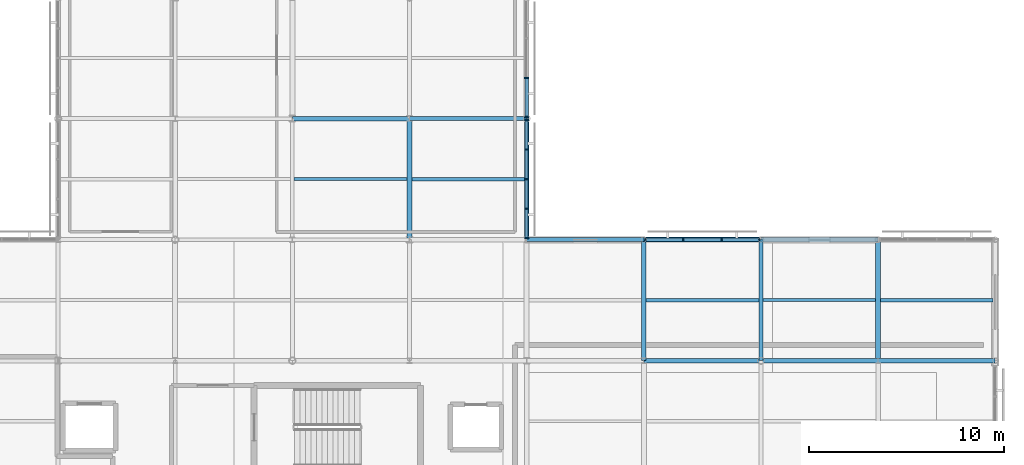
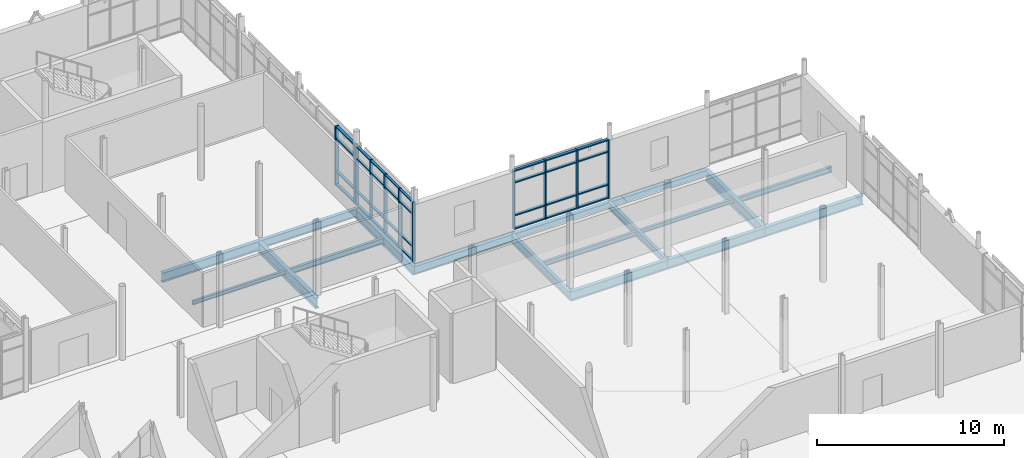
# One storey, part 45 of 84: 43 members, 18 beams, 3 elements without a shape of their own.
"""IFC4 building model written with IfcOpenShell, lengths in metres."""

from ifc_helpers import new_model, si_unit, direction, frame, origin, origin_2d, place, context, subcontext, project, spatial, rectangle, hollow_rectangle, i_section, extrude, material, layer, layer_set, material_profile, profile_set, type_object, element, aggregate, save


model = new_model("IFC4")

# Units and contexts
model_context = context("Model", 3, precision=1e-05, world=origin(), true_north=direction((0.0, 1.0)))
body_context = subcontext(model_context, "Body", "Model", "MODEL_VIEW")
ifc_project = project(units=[si_unit("LENGTHUNIT", "METRE"), si_unit("AREAUNIT", "SQUARE_METRE"), si_unit("VOLUMEUNIT", "CUBIC_METRE"), si_unit("PLANEANGLEUNIT", "RADIAN"), si_unit("MASSUNIT", "GRAM", prefix="KILO")], contexts=[model_context])

# Site, building, storey
site_placement = place(None, origin())
site = spatial("IfcSite", under=ifc_project, at=site_placement, CompositionType="ELEMENT")
building_placement = place(site_placement, origin())
building = spatial("IfcBuilding", under=site, at=building_placement, Name="Mirzam Square Science Centre", CompositionType="ELEMENT")
storey_placement = place(building_placement, frame((0.0, 0.0, 10.800048828125)))
storey = spatial("IfcBuildingStorey", under=building, at=storey_placement, Name="L02", CompositionType="ELEMENT", Elevation=10.800048828125)

# Beams
ifc_material_1 = material(Name="Steel S355", Category="steel")
ifc_material_profile_1 = material_profile(ifc_material_1, i_section(OverallWidth=0.19140625, OverallDepth=0.4599609375, WebThickness=0.010009765625, FlangeThickness=0.01611328125, FilletRadius=0.01025390625, at=origin_2d()), Name="457x191x82UB")
ifc_profile_set_1 = profile_set([ifc_material_profile_1], Name="Steel S355")
beam_type_1 = type_object("IfcBeamType", Name="BM-UB457", PredefinedType="BEAM", material=ifc_profile_set_1)
beam_1_placement = place(storey_placement, frame((150.0, 80.60009765625, -0.47998046875), z_axis=(0.0, 1.0, 0.0), x_axis=(-1.0, 0.0, 0.0)))
element("IfcBeam", 1, at=beam_1_placement, inside=storey, type_object=beam_type_1, Name="L02 girder Y26-14", PredefinedType="BEAM", context=body_context, shape_type="SweptSolid", body=[
    extrude(i_section(OverallWidth=0.19140625, OverallDepth=0.4599609375, WebThickness=0.010009765625, FlangeThickness=0.01611328125, FilletRadius=0.01025390625, at=origin_2d()), origin(), (0.0, 0.0, 1.0), 6.199951171875),
])
ifc_material_profile_2 = material_profile(ifc_material_1, i_section(OverallWidth=0.2099609375, OverallDepth=0.53662109375, WebThickness=0.0107421875, FlangeThickness=0.017333984375, FilletRadius=0.0126953125, at=origin_2d()), Name="533x210x101UB")
ifc_profile_set_2 = profile_set([ifc_material_profile_2], Name="Steel S355")
beam_type_2 = type_object("IfcBeamType", Name="BM-UB533", PredefinedType="BEAM", material=ifc_profile_set_2)
for number, where, z_axis, x_axis, name in (
    (2, (138.0, 86.800048828125, -0.518310546875), (1.0, 0.0, 0.0), (0.0, 1.0, 0.0), "L02 girder X24-15"),
    (3, (132.0, 93.0, -0.518310546875), (1.0, 0.0, 0.0), (0.0, 1.0, 0.0), "L02 girder X23-16"),
):
    element("IfcBeam", number, at=place(storey_placement, frame(where, z_axis=z_axis, x_axis=x_axis)), inside=storey, type_object=beam_type_2, Name=name, PredefinedType="BEAM", context=body_context, shape_type="SweptSolid", body=[
        extrude(i_section(OverallWidth=0.2099609375, OverallDepth=0.53662109375, WebThickness=0.0107421875, FlangeThickness=0.017333984375, FilletRadius=0.0126953125, at=origin_2d()), origin(), (0.0, 0.0, 1.0), 6.0),
    ])
beam_2_placement = place(storey_placement, frame((144.0, 80.60009765625, -0.518310546875), z_axis=(0.0, 1.0, 0.0), x_axis=(-1.0, 0.0, 0.0)))
element("IfcBeam", 4, at=beam_2_placement, inside=storey, type_object=beam_type_2, Name="L02 girder Y25-14", PredefinedType="BEAM", context=body_context, shape_type="SweptSolid", body=[
    extrude(i_section(OverallWidth=0.2099609375, OverallDepth=0.53662109375, WebThickness=0.0107421875, FlangeThickness=0.017333984375, FilletRadius=0.0126953125, at=origin_2d()), origin(), (0.0, 0.0, 1.0), 6.199951171875),
])
ifc_material_profile_3 = material_profile(ifc_material_1, i_section(OverallWidth=0.22900390625, OverallDepth=0.6123046875, WebThickness=0.011962890625, FlangeThickness=0.01953125, FilletRadius=0.0126953125, at=origin_2d()), Name="610x229x125UB")
ifc_profile_set_3 = profile_set([ifc_material_profile_3], Name="Steel S355")
beam_type_3 = type_object("IfcBeamType", Name="BM-UB610", PredefinedType="BEAM", material=ifc_profile_set_3)
for number, where, z_axis, x_axis, name in (
    (5, (144.0, 80.60009765625, -0.55615234375), (1.0, 0.0, 0.0), (0.0, 1.0, 0.0), "L02 girder X25-14"),
    (6, (150.0, 80.60009765625, -0.55615234375), (1.0, 0.0, 0.0), (0.0, 1.0, 0.0), "L02 girder X26-14"),
    (7, (156.0, 80.60009765625, -0.55615234375), (1.0, 0.0, 0.0), (0.0, 1.0, 0.0), "L02 girder X27-14"),
    (8, (126.0, 93.0, -0.55615234375), (1.0, 0.0, 0.0), (0.0, 1.0, 0.0), "L02 girder X22-16"),
):
    element("IfcBeam", number, at=place(storey_placement, frame(where, z_axis=z_axis, x_axis=x_axis)), inside=storey, type_object=beam_type_3, Name=name, PredefinedType="BEAM", context=body_context, shape_type="SweptSolid", body=[
        extrude(i_section(OverallWidth=0.22900390625, OverallDepth=0.6123046875, WebThickness=0.011962890625, FlangeThickness=0.01953125, FilletRadius=0.0126953125, at=origin_2d()), origin(), (0.0, 0.0, 1.0), 6.0),
    ])
beam_3_placement = place(storey_placement, frame((138.0, 86.800048828125, -0.55615234375), z_axis=(0.0, 1.0, 0.0), x_axis=(-1.0, 0.0, 0.0)))
element("IfcBeam", 9, at=beam_3_placement, inside=storey, type_object=beam_type_3, Name="L02 girder Y24-15", PredefinedType="BEAM", context=body_context, shape_type="SweptSolid", body=[
    extrude(i_section(OverallWidth=0.22900390625, OverallDepth=0.6123046875, WebThickness=0.011962890625, FlangeThickness=0.01953125, FilletRadius=0.0126953125, at=origin_2d()), origin(), (0.0, 0.0, 1.0), 6.199951171875),
])
ifc_material_profile_4 = material_profile(ifc_material_1, i_section(OverallWidth=0.25439453125, OverallDepth=0.6875, WebThickness=0.01318359375, FlangeThickness=0.02099609375, FilletRadius=0.01513671875, at=origin_2d()), Name="686x254x152UB")
ifc_profile_set_4 = profile_set([ifc_material_profile_4], Name="Steel S355")
beam_type_4 = type_object("IfcBeamType", Name="BM-UB686", PredefinedType="BEAM", material=ifc_profile_set_4)
for number, where, z_axis, x_axis, name in (
    (10, (132.0, 86.800048828125, -0.59375), (0.0, 1.0, 0.0), (-1.0, 0.0, 0.0), "L02 girder Y23-15"),
    (11, (156.0, 80.60009765625, -0.59375), (0.0, 1.0, 0.0), (-1.0, 0.0, 0.0), "L02 girder Y27-14"),
):
    element("IfcBeam", number, at=place(storey_placement, frame(where, z_axis=z_axis, x_axis=x_axis)), inside=storey, type_object=beam_type_4, Name=name, PredefinedType="BEAM", context=body_context, shape_type="SweptSolid", body=[
        extrude(i_section(OverallWidth=0.25439453125, OverallDepth=0.6875, WebThickness=0.01318359375, FlangeThickness=0.02099609375, FilletRadius=0.01513671875, at=origin_2d()), origin(), (0.0, 0.0, 1.0), 6.199951171875),
    ])

# Curtain wall, members
ifc_material_2 = material(Name="Anodised Aluminium and Low-E Solar Glass", Category="aluminium")
ifc_layer_1 = layer(ifc_material_2, 0.199951171875)
ifc_layer_set_1 = layer_set([ifc_layer_1], Name="CW-EAST-A")
curtain_wall_type_1 = type_object("IfcCurtainWallType", Name="CW-EAST-A", PredefinedType="USERDEFINED", material=ifc_layer_set_1)
curtain_wall_1_placement = place(storey_placement, origin())
curtain_wall_1 = element("IfcCurtainWall", 12, at=curtain_wall_1_placement, inside=storey, type_object=curtain_wall_type_1, Name="L02 unitised curtain wall 116", ObjectType="UNITISED CURTAIN WALL", PredefinedType="USERDEFINED")
ifc_material_3 = material(Name="Anodised Architectural Aluminium 6063-T6", Category="aluminium")
ifc_material_profile_5 = material_profile(ifc_material_3, rectangle(XDim=0.06494140625, YDim=0.199951171875, at=origin_2d()), Name="ALU-MULL-200x65x5")
ifc_profile_set_5 = profile_set([ifc_material_profile_5], Name="Anodised Architectural Aluminium 6063-T6")
member_type_1 = type_object("IfcMemberType", Name="CWM-200", PredefinedType="MULLION", material=ifc_profile_set_5)
member_1_placement = place(storey_placement, frame((138.0, 86.887451171875, 0.0), z_axis=(0.0, 0.0, 1.0), x_axis=(0.0, 1.0, 0.0)))
member_1 = element("IfcMember", 13, at=member_1_placement, type_object=member_type_1, Name="CW-05 mullion 1", PredefinedType="MULLION", context=body_context, shape_type="SweptSolid", body=[
    extrude(rectangle(XDim=0.06494140625, YDim=0.199951171875, at=origin_2d()), origin(), (0.0, 0.0, 1.0), 3.83984375),
])
member_2_placement = place(storey_placement, frame((138.0, 88.37744140625, 0.0), z_axis=(0.0, 0.0, 1.0), x_axis=(0.0, 1.0, 0.0)))
member_2 = element("IfcMember", 14, at=member_2_placement, type_object=member_type_1, Name="CW-05 mullion 2", PredefinedType="MULLION", context=body_context, shape_type="SweptSolid", body=[
    extrude(rectangle(XDim=0.06494140625, YDim=0.199951171875, at=origin_2d()), origin(), (0.0, 0.0, 1.0), 3.83984375),
])
member_3_placement = place(storey_placement, frame((138.0, 89.89990234375, 0.0), z_axis=(0.0, 0.0, 1.0), x_axis=(0.0, 1.0, 0.0)))
member_3 = element("IfcMember", 15, at=member_3_placement, type_object=member_type_1, Name="CW-05 mullion 3", PredefinedType="MULLION", context=body_context, shape_type="SweptSolid", body=[
    extrude(rectangle(XDim=0.06494140625, YDim=0.199951171875, at=origin_2d()), origin(), (0.0, 0.0, 1.0), 3.83984375),
])
member_4_placement = place(storey_placement, frame((138.0, 91.422607421875, 0.0), z_axis=(0.0, 0.0, 1.0), x_axis=(0.0, 1.0, 0.0)))
member_4 = element("IfcMember", 16, at=member_4_placement, type_object=member_type_1, Name="CW-05 mullion 4", PredefinedType="MULLION", context=body_context, shape_type="SweptSolid", body=[
    extrude(rectangle(XDim=0.06494140625, YDim=0.199951171875, at=origin_2d()), origin(), (0.0, 0.0, 1.0), 3.83984375),
])
member_5_placement = place(storey_placement, frame((138.0, 92.91259765625, 0.0), z_axis=(0.0, 0.0, 1.0), x_axis=(0.0, 1.0, 0.0)))
member_5 = element("IfcMember", 17, at=member_5_placement, type_object=member_type_1, Name="CW-05 mullion 5", PredefinedType="MULLION", context=body_context, shape_type="SweptSolid", body=[
    extrude(rectangle(XDim=0.06494140625, YDim=0.199951171875, at=origin_2d()), origin(), (0.0, 0.0, 1.0), 3.83984375),
])

ifc_layer_2 = layer(ifc_material_2, 0.239990234375)
ifc_layer_set_2 = layer_set([ifc_layer_2], Name="CW-EAST-B")
curtain_wall_type_2 = type_object("IfcCurtainWallType", Name="CW-EAST-B", PredefinedType="USERDEFINED", material=ifc_layer_set_2)
curtain_wall_2_placement = place(storey_placement, origin())
curtain_wall_2 = element("IfcCurtainWall", 18, at=curtain_wall_2_placement, inside=storey, type_object=curtain_wall_type_2, Name="L02 unitised curtain wall 108", ObjectType="UNITISED CURTAIN WALL", PredefinedType="USERDEFINED")
ifc_material_profile_6 = material_profile(ifc_material_3, rectangle(XDim=0.074951171875, YDim=0.239990234375, at=origin_2d()), Name="ALU-MULL-240x75x5")
ifc_profile_set_6 = profile_set([ifc_material_profile_6], Name="Anodised Architectural Aluminium 6063-T6")
member_type_2 = type_object("IfcMemberType", Name="CWM-240", PredefinedType="MULLION", material=ifc_profile_set_6)
member_6_placement = place(storey_placement, frame((149.907470703125, 86.800048828125, 0.0), z_axis=(0.0, 0.0, 1.0), x_axis=(-1.0, 0.0, 0.0)))
member_6 = element("IfcMember", 19, at=member_6_placement, type_object=member_type_2, Name="CW-06 mullion 1", PredefinedType="MULLION", context=body_context, shape_type="SweptSolid", body=[
    extrude(rectangle(XDim=0.074951171875, YDim=0.239990234375, at=origin_2d()), origin(), (0.0, 0.0, 1.0), 3.83984375),
])
member_7_placement = place(storey_placement, frame((147.981689453125, 86.800048828125, 0.0), z_axis=(0.0, 0.0, 1.0), x_axis=(-1.0, 0.0, 0.0)))
member_7 = element("IfcMember", 20, at=member_7_placement, type_object=member_type_2, Name="CW-06 mullion 2", PredefinedType="MULLION", context=body_context, shape_type="SweptSolid", body=[
    extrude(rectangle(XDim=0.074951171875, YDim=0.239990234375, at=origin_2d()), origin(), (0.0, 0.0, 1.0), 3.83984375),
])
member_8_placement = place(storey_placement, frame((146.018310546875, 86.800048828125, 0.0), z_axis=(0.0, 0.0, 1.0), x_axis=(-1.0, 0.0, 0.0)))
member_8 = element("IfcMember", 21, at=member_8_placement, type_object=member_type_2, Name="CW-06 mullion 3", PredefinedType="MULLION", context=body_context, shape_type="SweptSolid", body=[
    extrude(rectangle(XDim=0.074951171875, YDim=0.239990234375, at=origin_2d()), origin(), (0.0, 0.0, 1.0), 3.83984375),
])
member_9_placement = place(storey_placement, frame((144.092529296875, 86.800048828125, 0.0), z_axis=(0.0, 0.0, 1.0), x_axis=(-1.0, 0.0, 0.0)))
member_9 = element("IfcMember", 22, at=member_9_placement, type_object=member_type_2, Name="CW-06 mullion 4", PredefinedType="MULLION", context=body_context, shape_type="SweptSolid", body=[
    extrude(rectangle(XDim=0.074951171875, YDim=0.239990234375, at=origin_2d()), origin(), (0.0, 0.0, 1.0), 3.83984375),
])

curtain_wall_3_placement = place(storey_placement, origin())
curtain_wall_3 = element("IfcCurtainWall", 23, at=curtain_wall_3_placement, inside=storey, type_object=curtain_wall_type_2, Name="L02 unitised curtain wall 118", ObjectType="UNITISED CURTAIN WALL", PredefinedType="USERDEFINED")
member_10_placement = place(storey_placement, frame((138.0, 93.092529296875, 0.0), z_axis=(0.0, 0.0, 1.0), x_axis=(0.0, 1.0, 0.0)))
member_10 = element("IfcMember", 24, at=member_10_placement, type_object=member_type_2, Name="CW-06 mullion 1", PredefinedType="MULLION", context=body_context, shape_type="SweptSolid", body=[
    extrude(rectangle(XDim=0.074951171875, YDim=0.239990234375, at=origin_2d()), origin(), (0.0, 0.0, 1.0), 3.83984375),
])
member_11_placement = place(storey_placement, frame((138.0, 95.0849609375, 0.0), z_axis=(0.0, 0.0, 1.0), x_axis=(0.0, 1.0, 0.0)))
member_11 = element("IfcMember", 25, at=member_11_placement, type_object=member_type_2, Name="CW-06 mullion 2", PredefinedType="MULLION", context=body_context, shape_type="SweptSolid", body=[
    extrude(rectangle(XDim=0.074951171875, YDim=0.239990234375, at=origin_2d()), origin(), (0.0, 0.0, 1.0), 3.83984375),
])

# Member
ifc_material_profile_7 = material_profile(ifc_material_3, rectangle(XDim=0.14990234375, YDim=0.06494140625, at=origin_2d()), Name="ALU-TRAN-150x65x4")
ifc_profile_set_7 = profile_set([ifc_material_profile_7], Name="Anodised Architectural Aluminium 6063-T6")
member_type_3 = type_object("IfcMemberType", Name="CWT-150", PredefinedType="USERDEFINED", material=ifc_profile_set_7)
member_12_placement = place(storey_placement, frame((138.0, 86.919921875, 0.032470703125), z_axis=(0.0, 1.0, 0.0), x_axis=(-1.0, 0.0, 0.0)))
member_12 = element("IfcMember", 26, at=member_12_placement, type_object=member_type_3, Name="CW-05 transom 1.1", ObjectType="TRANSOM", PredefinedType="USERDEFINED", context=body_context, shape_type="SweptSolid", body=[
    extrude(rectangle(XDim=0.14990234375, YDim=0.06494140625, at=origin_2d()), origin(), (0.0, 0.0, 1.0), 1.425048828125),
])

member_13_placement = place(storey_placement, frame((138.0, 86.919921875, 0.89990234375), z_axis=(0.0, 1.0, 0.0), x_axis=(-1.0, 0.0, 0.0)))
member_13 = element("IfcMember", 27, at=member_13_placement, type_object=member_type_3, Name="CW-05 transom 1.2", ObjectType="TRANSOM", PredefinedType="USERDEFINED", context=body_context, shape_type="SweptSolid", body=[
    extrude(rectangle(XDim=0.14990234375, YDim=0.06494140625, at=origin_2d()), origin(), (0.0, 0.0, 1.0), 1.425048828125),
])

member_14_placement = place(storey_placement, frame((138.0, 86.919921875, 3.0400390625), z_axis=(0.0, 1.0, 0.0), x_axis=(-1.0, 0.0, 0.0)))
member_14 = element("IfcMember", 28, at=member_14_placement, type_object=member_type_3, Name="CW-05 transom 1.3", ObjectType="TRANSOM", PredefinedType="USERDEFINED", context=body_context, shape_type="SweptSolid", body=[
    extrude(rectangle(XDim=0.14990234375, YDim=0.06494140625, at=origin_2d()), origin(), (0.0, 0.0, 1.0), 1.425048828125),
])

member_15_placement = place(storey_placement, frame((138.0, 86.919921875, 3.807373046875), z_axis=(0.0, 1.0, 0.0), x_axis=(-1.0, 0.0, 0.0)))
member_15 = element("IfcMember", 29, at=member_15_placement, type_object=member_type_3, Name="CW-05 transom 1.4", ObjectType="TRANSOM", PredefinedType="USERDEFINED", context=body_context, shape_type="SweptSolid", body=[
    extrude(rectangle(XDim=0.14990234375, YDim=0.06494140625, at=origin_2d()), origin(), (0.0, 0.0, 1.0), 1.425048828125),
])

member_16_placement = place(storey_placement, frame((138.0, 88.409912109375, 0.032470703125), z_axis=(0.0, 1.0, 0.0), x_axis=(-1.0, 0.0, 0.0)))
member_16 = element("IfcMember", 30, at=member_16_placement, type_object=member_type_3, Name="CW-05 transom 2.1", ObjectType="TRANSOM", PredefinedType="USERDEFINED", context=body_context, shape_type="SweptSolid", body=[
    extrude(rectangle(XDim=0.14990234375, YDim=0.06494140625, at=origin_2d()), origin(), (0.0, 0.0, 1.0), 1.45751953125),
])

member_17_placement = place(storey_placement, frame((138.0, 88.409912109375, 0.89990234375), z_axis=(0.0, 1.0, 0.0), x_axis=(-1.0, 0.0, 0.0)))
member_17 = element("IfcMember", 31, at=member_17_placement, type_object=member_type_3, Name="CW-05 transom 2.2", ObjectType="TRANSOM", PredefinedType="USERDEFINED", context=body_context, shape_type="SweptSolid", body=[
    extrude(rectangle(XDim=0.14990234375, YDim=0.06494140625, at=origin_2d()), origin(), (0.0, 0.0, 1.0), 1.45751953125),
])

member_18_placement = place(storey_placement, frame((138.0, 88.409912109375, 3.0400390625), z_axis=(0.0, 1.0, 0.0), x_axis=(-1.0, 0.0, 0.0)))
member_18 = element("IfcMember", 32, at=member_18_placement, type_object=member_type_3, Name="CW-05 transom 2.3", ObjectType="TRANSOM", PredefinedType="USERDEFINED", context=body_context, shape_type="SweptSolid", body=[
    extrude(rectangle(XDim=0.14990234375, YDim=0.06494140625, at=origin_2d()), origin(), (0.0, 0.0, 1.0), 1.45751953125),
])

member_19_placement = place(storey_placement, frame((138.0, 88.409912109375, 3.807373046875), z_axis=(0.0, 1.0, 0.0), x_axis=(-1.0, 0.0, 0.0)))
member_19 = element("IfcMember", 33, at=member_19_placement, type_object=member_type_3, Name="CW-05 transom 2.4", ObjectType="TRANSOM", PredefinedType="USERDEFINED", context=body_context, shape_type="SweptSolid", body=[
    extrude(rectangle(XDim=0.14990234375, YDim=0.06494140625, at=origin_2d()), origin(), (0.0, 0.0, 1.0), 1.45751953125),
])

member_20_placement = place(storey_placement, frame((138.0, 89.9326171875, 0.032470703125), z_axis=(0.0, 1.0, 0.0), x_axis=(-1.0, 0.0, 0.0)))
member_20 = element("IfcMember", 34, at=member_20_placement, type_object=member_type_3, Name="CW-05 transom 3.1", ObjectType="TRANSOM", PredefinedType="USERDEFINED", context=body_context, shape_type="SweptSolid", body=[
    extrude(rectangle(XDim=0.14990234375, YDim=0.06494140625, at=origin_2d()), origin(), (0.0, 0.0, 1.0), 1.457275390625),
])

member_21_placement = place(storey_placement, frame((138.0, 89.9326171875, 0.89990234375), z_axis=(0.0, 1.0, 0.0), x_axis=(-1.0, 0.0, 0.0)))
member_21 = element("IfcMember", 35, at=member_21_placement, type_object=member_type_3, Name="CW-05 transom 3.2", ObjectType="TRANSOM", PredefinedType="USERDEFINED", context=body_context, shape_type="SweptSolid", body=[
    extrude(rectangle(XDim=0.14990234375, YDim=0.06494140625, at=origin_2d()), origin(), (0.0, 0.0, 1.0), 1.457275390625),
])

member_22_placement = place(storey_placement, frame((138.0, 89.9326171875, 3.0400390625), z_axis=(0.0, 1.0, 0.0), x_axis=(-1.0, 0.0, 0.0)))
member_22 = element("IfcMember", 36, at=member_22_placement, type_object=member_type_3, Name="CW-05 transom 3.3", ObjectType="TRANSOM", PredefinedType="USERDEFINED", context=body_context, shape_type="SweptSolid", body=[
    extrude(rectangle(XDim=0.14990234375, YDim=0.06494140625, at=origin_2d()), origin(), (0.0, 0.0, 1.0), 1.457275390625),
])

member_23_placement = place(storey_placement, frame((138.0, 89.9326171875, 3.807373046875), z_axis=(0.0, 1.0, 0.0), x_axis=(-1.0, 0.0, 0.0)))
member_23 = element("IfcMember", 37, at=member_23_placement, type_object=member_type_3, Name="CW-05 transom 3.4", ObjectType="TRANSOM", PredefinedType="USERDEFINED", context=body_context, shape_type="SweptSolid", body=[
    extrude(rectangle(XDim=0.14990234375, YDim=0.06494140625, at=origin_2d()), origin(), (0.0, 0.0, 1.0), 1.457275390625),
])

member_24_placement = place(storey_placement, frame((138.0, 91.455078125, 0.032470703125), z_axis=(0.0, 1.0, 0.0), x_axis=(-1.0, 0.0, 0.0)))
member_24 = element("IfcMember", 38, at=member_24_placement, type_object=member_type_3, Name="CW-05 transom 4.1", ObjectType="TRANSOM", PredefinedType="USERDEFINED", context=body_context, shape_type="SweptSolid", body=[
    extrude(rectangle(XDim=0.14990234375, YDim=0.06494140625, at=origin_2d()), origin(), (0.0, 0.0, 1.0), 1.4248046875),
])

member_25_placement = place(storey_placement, frame((138.0, 91.455078125, 0.89990234375), z_axis=(0.0, 1.0, 0.0), x_axis=(-1.0, 0.0, 0.0)))
member_25 = element("IfcMember", 39, at=member_25_placement, type_object=member_type_3, Name="CW-05 transom 4.2", ObjectType="TRANSOM", PredefinedType="USERDEFINED", context=body_context, shape_type="SweptSolid", body=[
    extrude(rectangle(XDim=0.14990234375, YDim=0.06494140625, at=origin_2d()), origin(), (0.0, 0.0, 1.0), 1.4248046875),
])

member_26_placement = place(storey_placement, frame((138.0, 91.455078125, 3.0400390625), z_axis=(0.0, 1.0, 0.0), x_axis=(-1.0, 0.0, 0.0)))
member_26 = element("IfcMember", 40, at=member_26_placement, type_object=member_type_3, Name="CW-05 transom 4.3", ObjectType="TRANSOM", PredefinedType="USERDEFINED", context=body_context, shape_type="SweptSolid", body=[
    extrude(rectangle(XDim=0.14990234375, YDim=0.06494140625, at=origin_2d()), origin(), (0.0, 0.0, 1.0), 1.4248046875),
])

member_27_placement = place(storey_placement, frame((138.0, 91.455078125, 3.807373046875), z_axis=(0.0, 1.0, 0.0), x_axis=(-1.0, 0.0, 0.0)))
member_27 = element("IfcMember", 41, at=member_27_placement, type_object=member_type_3, Name="CW-05 transom 4.4", ObjectType="TRANSOM", PredefinedType="USERDEFINED", context=body_context, shape_type="SweptSolid", body=[
    extrude(rectangle(XDim=0.14990234375, YDim=0.06494140625, at=origin_2d()), origin(), (0.0, 0.0, 1.0), 1.4248046875),
])

aggregate(curtain_wall_1, [member_1, member_2, member_3, member_4, member_5, member_12, member_13, member_14, member_15, member_16, member_17, member_18, member_19, member_20, member_21, member_22, member_23, member_24, member_25, member_26, member_27])

ifc_material_profile_8 = material_profile(ifc_material_3, rectangle(XDim=0.179931640625, YDim=0.074951171875, at=origin_2d()), Name="ALU-TRAN-180x75x5")
ifc_profile_set_8 = profile_set([ifc_material_profile_8], Name="Anodised Architectural Aluminium 6063-T6")
member_type_4 = type_object("IfcMemberType", Name="CWT-180", PredefinedType="USERDEFINED", material=ifc_profile_set_8)
member_28_placement = place(storey_placement, frame((149.8701171875, 86.800048828125, 0.037353515625), z_axis=(-1.0, 0.0, 0.0), x_axis=(0.0, -1.0, 0.0)))
member_28 = element("IfcMember", 42, at=member_28_placement, type_object=member_type_4, Name="CW-06 transom 1.1", ObjectType="TRANSOM", PredefinedType="USERDEFINED", context=body_context, shape_type="SweptSolid", body=[
    extrude(rectangle(XDim=0.179931640625, YDim=0.074951171875, at=origin_2d()), origin(), (0.0, 0.0, 1.0), 1.850830078125),
])

member_29_placement = place(storey_placement, frame((149.8701171875, 86.800048828125, 0.89990234375), z_axis=(-1.0, 0.0, 0.0), x_axis=(0.0, -1.0, 0.0)))
member_29 = element("IfcMember", 43, at=member_29_placement, type_object=member_type_4, Name="CW-06 transom 1.2", ObjectType="TRANSOM", PredefinedType="USERDEFINED", context=body_context, shape_type="SweptSolid", body=[
    extrude(rectangle(XDim=0.179931640625, YDim=0.074951171875, at=origin_2d()), origin(), (0.0, 0.0, 1.0), 1.850830078125),
])

member_30_placement = place(storey_placement, frame((149.8701171875, 86.800048828125, 3.0400390625), z_axis=(-1.0, 0.0, 0.0), x_axis=(0.0, -1.0, 0.0)))
member_30 = element("IfcMember", 44, at=member_30_placement, type_object=member_type_4, Name="CW-06 transom 1.3", ObjectType="TRANSOM", PredefinedType="USERDEFINED", context=body_context, shape_type="SweptSolid", body=[
    extrude(rectangle(XDim=0.179931640625, YDim=0.074951171875, at=origin_2d()), origin(), (0.0, 0.0, 1.0), 1.850830078125),
])

member_31_placement = place(storey_placement, frame((149.8701171875, 86.800048828125, 3.802490234375), z_axis=(-1.0, 0.0, 0.0), x_axis=(0.0, -1.0, 0.0)))
member_31 = element("IfcMember", 45, at=member_31_placement, type_object=member_type_4, Name="CW-06 transom 1.4", ObjectType="TRANSOM", PredefinedType="USERDEFINED", context=body_context, shape_type="SweptSolid", body=[
    extrude(rectangle(XDim=0.179931640625, YDim=0.074951171875, at=origin_2d()), origin(), (0.0, 0.0, 1.0), 1.850830078125),
])

member_32_placement = place(storey_placement, frame((147.944091796875, 86.800048828125, 0.037353515625), z_axis=(-1.0, 0.0, 0.0), x_axis=(0.0, -1.0, 0.0)))
member_32 = element("IfcMember", 46, at=member_32_placement, type_object=member_type_4, Name="CW-06 transom 2.1", ObjectType="TRANSOM", PredefinedType="USERDEFINED", context=body_context, shape_type="SweptSolid", body=[
    extrude(rectangle(XDim=0.179931640625, YDim=0.074951171875, at=origin_2d()), origin(), (0.0, 0.0, 1.0), 1.88818359375),
])

member_33_placement = place(storey_placement, frame((147.944091796875, 86.800048828125, 0.89990234375), z_axis=(-1.0, 0.0, 0.0), x_axis=(0.0, -1.0, 0.0)))
member_33 = element("IfcMember", 47, at=member_33_placement, type_object=member_type_4, Name="CW-06 transom 2.2", ObjectType="TRANSOM", PredefinedType="USERDEFINED", context=body_context, shape_type="SweptSolid", body=[
    extrude(rectangle(XDim=0.179931640625, YDim=0.074951171875, at=origin_2d()), origin(), (0.0, 0.0, 1.0), 1.88818359375),
])

member_34_placement = place(storey_placement, frame((147.944091796875, 86.800048828125, 3.0400390625), z_axis=(-1.0, 0.0, 0.0), x_axis=(0.0, -1.0, 0.0)))
member_34 = element("IfcMember", 48, at=member_34_placement, type_object=member_type_4, Name="CW-06 transom 2.3", ObjectType="TRANSOM", PredefinedType="USERDEFINED", context=body_context, shape_type="SweptSolid", body=[
    extrude(rectangle(XDim=0.179931640625, YDim=0.074951171875, at=origin_2d()), origin(), (0.0, 0.0, 1.0), 1.88818359375),
])

member_35_placement = place(storey_placement, frame((147.944091796875, 86.800048828125, 3.802490234375), z_axis=(-1.0, 0.0, 0.0), x_axis=(0.0, -1.0, 0.0)))
member_35 = element("IfcMember", 49, at=member_35_placement, type_object=member_type_4, Name="CW-06 transom 2.4", ObjectType="TRANSOM", PredefinedType="USERDEFINED", context=body_context, shape_type="SweptSolid", body=[
    extrude(rectangle(XDim=0.179931640625, YDim=0.074951171875, at=origin_2d()), origin(), (0.0, 0.0, 1.0), 1.88818359375),
])

member_36_placement = place(storey_placement, frame((145.980712890625, 86.800048828125, 0.037353515625), z_axis=(-1.0, 0.0, 0.0), x_axis=(0.0, -1.0, 0.0)))
member_36 = element("IfcMember", 50, at=member_36_placement, type_object=member_type_4, Name="CW-06 transom 3.1", ObjectType="TRANSOM", PredefinedType="USERDEFINED", context=body_context, shape_type="SweptSolid", body=[
    extrude(rectangle(XDim=0.179931640625, YDim=0.074951171875, at=origin_2d()), origin(), (0.0, 0.0, 1.0), 1.850830078125),
])

member_37_placement = place(storey_placement, frame((145.980712890625, 86.800048828125, 0.89990234375), z_axis=(-1.0, 0.0, 0.0), x_axis=(0.0, -1.0, 0.0)))
member_37 = element("IfcMember", 51, at=member_37_placement, type_object=member_type_4, Name="CW-06 transom 3.2", ObjectType="TRANSOM", PredefinedType="USERDEFINED", context=body_context, shape_type="SweptSolid", body=[
    extrude(rectangle(XDim=0.179931640625, YDim=0.074951171875, at=origin_2d()), origin(), (0.0, 0.0, 1.0), 1.850830078125),
])

member_38_placement = place(storey_placement, frame((145.980712890625, 86.800048828125, 3.0400390625), z_axis=(-1.0, 0.0, 0.0), x_axis=(0.0, -1.0, 0.0)))
member_38 = element("IfcMember", 52, at=member_38_placement, type_object=member_type_4, Name="CW-06 transom 3.3", ObjectType="TRANSOM", PredefinedType="USERDEFINED", context=body_context, shape_type="SweptSolid", body=[
    extrude(rectangle(XDim=0.179931640625, YDim=0.074951171875, at=origin_2d()), origin(), (0.0, 0.0, 1.0), 1.850830078125),
])

member_39_placement = place(storey_placement, frame((145.980712890625, 86.800048828125, 3.802490234375), z_axis=(-1.0, 0.0, 0.0), x_axis=(0.0, -1.0, 0.0)))
member_39 = element("IfcMember", 53, at=member_39_placement, type_object=member_type_4, Name="CW-06 transom 3.4", ObjectType="TRANSOM", PredefinedType="USERDEFINED", context=body_context, shape_type="SweptSolid", body=[
    extrude(rectangle(XDim=0.179931640625, YDim=0.074951171875, at=origin_2d()), origin(), (0.0, 0.0, 1.0), 1.850830078125),
])

aggregate(curtain_wall_2, [member_6, member_7, member_8, member_9, member_28, member_29, member_30, member_31, member_32, member_33, member_34, member_35, member_36, member_37, member_38, member_39])

member_40_placement = place(storey_placement, frame((138.0, 93.1298828125, 0.037353515625), z_axis=(0.0, 1.0, 0.0), x_axis=(-1.0, 0.0, 0.0)))
member_40 = element("IfcMember", 54, at=member_40_placement, type_object=member_type_4, Name="CW-06 transom 1.1", ObjectType="TRANSOM", PredefinedType="USERDEFINED", context=body_context, shape_type="SweptSolid", body=[
    extrude(rectangle(XDim=0.179931640625, YDim=0.074951171875, at=origin_2d()), origin(), (0.0, 0.0, 1.0), 1.917724609375),
])

member_41_placement = place(storey_placement, frame((138.0, 93.1298828125, 0.89990234375), z_axis=(0.0, 1.0, 0.0), x_axis=(-1.0, 0.0, 0.0)))
member_41 = element("IfcMember", 55, at=member_41_placement, type_object=member_type_4, Name="CW-06 transom 1.2", ObjectType="TRANSOM", PredefinedType="USERDEFINED", context=body_context, shape_type="SweptSolid", body=[
    extrude(rectangle(XDim=0.179931640625, YDim=0.074951171875, at=origin_2d()), origin(), (0.0, 0.0, 1.0), 1.917724609375),
])

member_42_placement = place(storey_placement, frame((138.0, 93.1298828125, 3.0400390625), z_axis=(0.0, 1.0, 0.0), x_axis=(-1.0, 0.0, 0.0)))
member_42 = element("IfcMember", 56, at=member_42_placement, type_object=member_type_4, Name="CW-06 transom 1.3", ObjectType="TRANSOM", PredefinedType="USERDEFINED", context=body_context, shape_type="SweptSolid", body=[
    extrude(rectangle(XDim=0.179931640625, YDim=0.074951171875, at=origin_2d()), origin(), (0.0, 0.0, 1.0), 1.917724609375),
])

member_43_placement = place(storey_placement, frame((138.0, 93.1298828125, 3.802490234375), z_axis=(0.0, 1.0, 0.0), x_axis=(-1.0, 0.0, 0.0)))
member_43 = element("IfcMember", 57, at=member_43_placement, type_object=member_type_4, Name="CW-06 transom 1.4", ObjectType="TRANSOM", PredefinedType="USERDEFINED", context=body_context, shape_type="SweptSolid", body=[
    extrude(rectangle(XDim=0.179931640625, YDim=0.074951171875, at=origin_2d()), origin(), (0.0, 0.0, 1.0), 1.917724609375),
])

aggregate(curtain_wall_3, [member_10, member_11, member_40, member_41, member_42, member_43])

# Beams
ifc_material_profile_9 = material_profile(ifc_material_1, i_section(OverallWidth=0.146484375, OverallDepth=0.256103515625, WebThickness=0.00634765625, FlangeThickness=0.010986328125, FilletRadius=0.007568359375, at=origin_2d()), Name="254x146x37UB")
ifc_profile_set_9 = profile_set([ifc_material_profile_9], Name="Steel S355")
beam_type_5 = type_object("IfcBeamType", Name="JS-UB254", PredefinedType="JOIST", material=ifc_profile_set_9)
for number, where, z_axis, x_axis, name in (
    (58, (126.095703125, 89.89990234375, -0.3779296875), (1.0, 0.0, 0.0), (0.0, 1.0, 0.0), "L02 composite joist 22-15"),
    (59, (150.095703125, 83.699951171875, -0.3779296875), (1.0, 0.0, 0.0), (0.0, 1.0, 0.0), "L02 composite joist 26-14"),
):
    element("IfcBeam", number, at=place(storey_placement, frame(where, z_axis=z_axis, x_axis=x_axis)), inside=storey, type_object=beam_type_5, Name=name, PredefinedType="JOIST", context=body_context, shape_type="SweptSolid", body=[
        extrude(i_section(OverallWidth=0.146484375, OverallDepth=0.256103515625, WebThickness=0.00634765625, FlangeThickness=0.010986328125, FilletRadius=0.007568359375, at=origin_2d()), origin(), (0.0, 0.0, 1.0), 5.777099609375),
    ])
ifc_material_profile_10 = material_profile(ifc_material_1, i_section(OverallWidth=0.165771484375, OverallDepth=0.306640625, WebThickness=0.006591796875, FlangeThickness=0.01171875, FilletRadius=0.0087890625, at=origin_2d()), Name="305x165x46UB")
ifc_profile_set_10 = profile_set([ifc_material_profile_10], Name="Steel S355")
beam_type_6 = type_object("IfcBeamType", Name="JS-UB305", PredefinedType="JOIST", material=ifc_profile_set_10)
beam_4_placement = place(storey_placement, frame((144.10498046875, 83.699951171875, -0.4033203125), z_axis=(1.0, 0.0, 0.0), x_axis=(0.0, 1.0, 0.0)))
element("IfcBeam", 60, at=beam_4_placement, inside=storey, type_object=beam_type_6, Name="L02 composite joist 25-14", PredefinedType="JOIST", context=body_context, shape_type="SweptSolid", body=[
    extrude(i_section(OverallWidth=0.165771484375, OverallDepth=0.306640625, WebThickness=0.006591796875, FlangeThickness=0.01171875, FilletRadius=0.0087890625, at=origin_2d()), origin(), (0.0, 0.0, 1.0), 5.79931640625),
])
ifc_material_profile_11 = material_profile(ifc_material_1, i_section(OverallWidth=0.172119140625, OverallDepth=0.35791015625, WebThickness=0.008056640625, FlangeThickness=0.012939453125, FilletRadius=0.01025390625, at=origin_2d()), Name="356x171x57UB")
ifc_profile_set_11 = profile_set([ifc_material_profile_11], Name="Steel S355")
beam_type_7 = type_object("IfcBeamType", Name="JS-UB356", PredefinedType="JOIST", material=ifc_profile_set_11)
beam_5_placement = place(storey_placement, frame((132.127197265625, 89.89990234375, -0.428955078125), z_axis=(1.0, 0.0, 0.0), x_axis=(0.0, 1.0, 0.0)))
element("IfcBeam", 61, at=beam_5_placement, inside=storey, type_object=beam_type_7, Name="L02 composite joist 23-15", PredefinedType="JOIST", context=body_context, shape_type="SweptSolid", body=[
    extrude(i_section(OverallWidth=0.172119140625, OverallDepth=0.35791015625, WebThickness=0.008056640625, FlangeThickness=0.012939453125, FilletRadius=0.01025390625, at=origin_2d()), origin(), (0.0, 0.0, 1.0), 5.75830078125),
])
beam_6_placement = place(storey_placement, frame((156.127197265625, 83.699951171875, -0.428955078125), z_axis=(1.0, 0.0, 0.0), x_axis=(0.0, 1.0, 0.0)))
element("IfcBeam", 62, at=beam_6_placement, inside=storey, type_object=beam_type_7, Name="L02 composite joist 27-14", PredefinedType="JOIST", context=body_context, shape_type="SweptSolid", body=[
    extrude(i_section(OverallWidth=0.172119140625, OverallDepth=0.35791015625, WebThickness=0.008056640625, FlangeThickness=0.012939453125, FilletRadius=0.01025390625, at=origin_2d()), origin(), (0.0, 0.0, 1.0), 5.747802734375),
])
ifc_material_profile_12 = material_profile(ifc_material_1, hollow_rectangle(XDim=0.25, YDim=0.35009765625, WallThickness=0.012451171875, InnerFilletRadius=0.012451171875, OuterFilletRadius=0.02490234375, at=origin_2d()), Name="350x250x12.5RHS")
ifc_profile_set_12 = profile_set([ifc_material_profile_12], Name="Steel S355")
beam_type_8 = type_object("IfcBeamType", Name="SP-RHS350", PredefinedType="SPANDREL", material=ifc_profile_set_12)
for number, where, z_axis, x_axis, name in (
    (63, (144.0, 86.800048828125, -0.425048828125), (1.0, 0.0, 0.0), (0.0, 1.0, 0.0), "L02 girder X25-15"),
    (64, (150.0, 86.800048828125, -0.425048828125), (1.0, 0.0, 0.0), (0.0, 1.0, 0.0), "L02 girder X26-15"),
):
    element("IfcBeam", number, at=place(storey_placement, frame(where, z_axis=z_axis, x_axis=x_axis)), inside=storey, type_object=beam_type_8, Name=name, PredefinedType="SPANDREL", context=body_context, shape_type="SweptSolid", body=[
        extrude(hollow_rectangle(XDim=0.25, YDim=0.35009765625, WallThickness=0.012451171875, InnerFilletRadius=0.012451171875, OuterFilletRadius=0.02490234375, at=origin_2d()), origin(), (0.0, 0.0, 1.0), 6.0),
    ])

save(model, "model.ifc")
